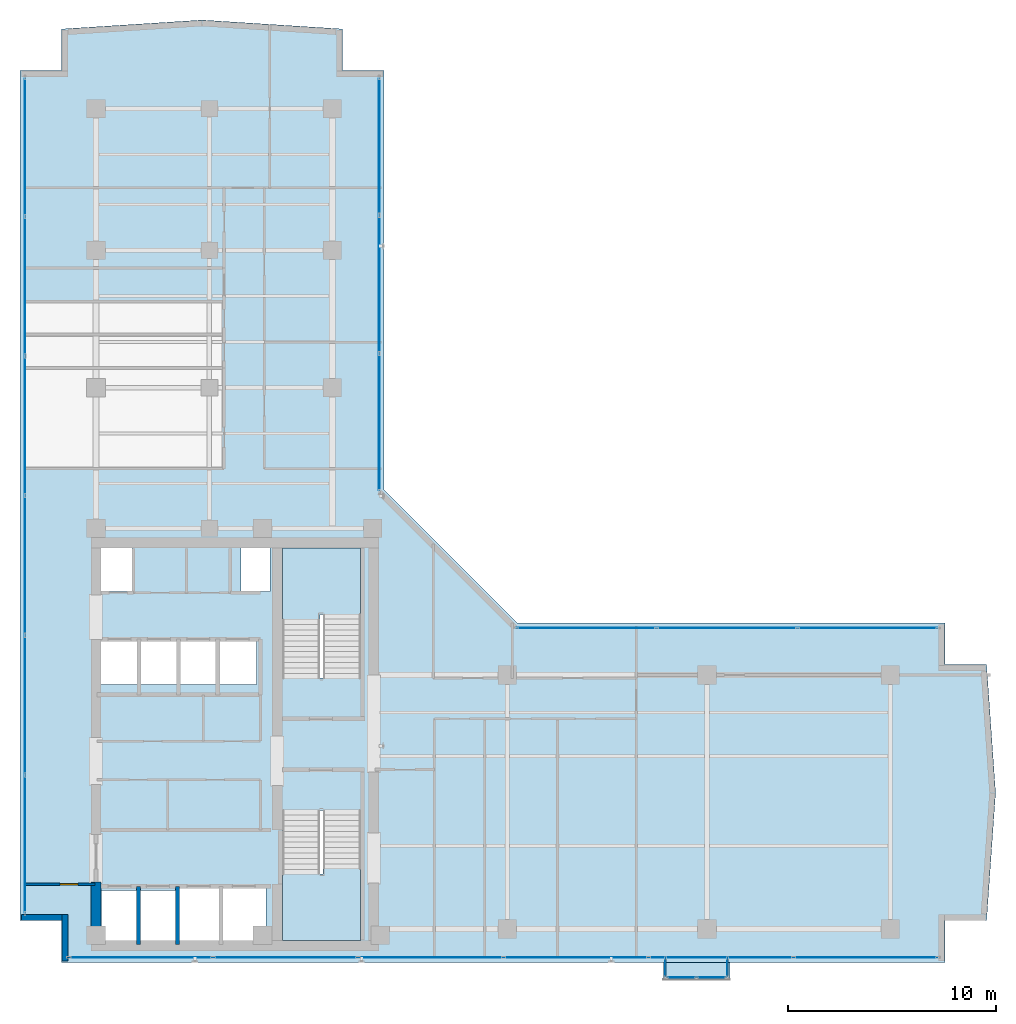
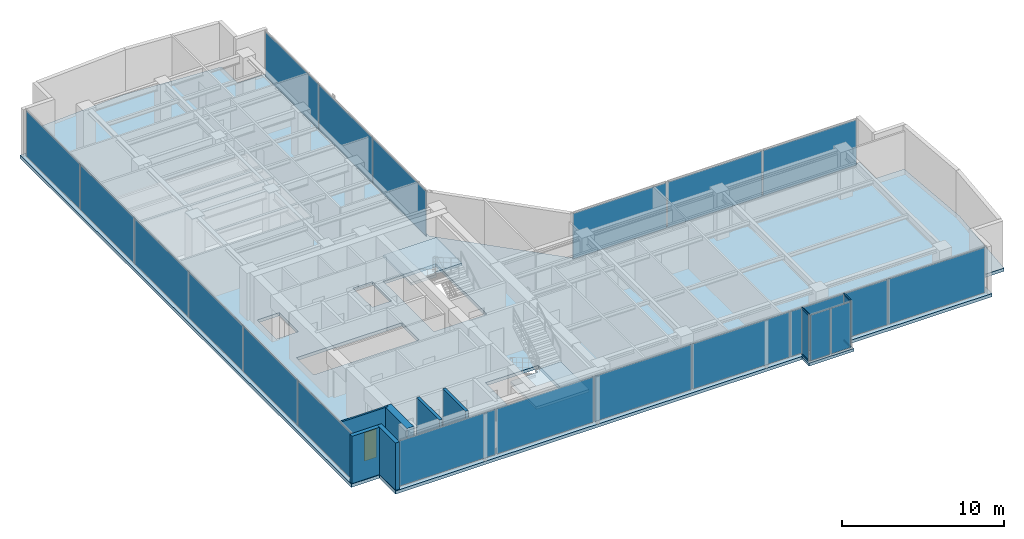
# One storey, part 16 of 24: 22 plates, 6 walls, 4 members, 4 slabs, 1 door, 1 opening, 9 elements without a shape of their own.
"""IFC4 building model written with IfcOpenShell, lengths in metres."""

from ifc_helpers import new_model, si_unit, direction, frame, frame_2d, origin, origin_with_axes, origin_2d, place, context, subcontext, project, spatial, polyline, rectangle, hollow_rectangle, outline, extrude, source, transform, mapped, material, layer, layer_set, material_profile, profile_set, type_object, element, fill, aggregate, save


model = new_model("IFC4")

# Units and contexts
model_context = context("Model", 3, precision=1e-05, world=origin(), true_north=direction((0.0, 1.0)))
body_context = subcontext(model_context, "Body", "Model", "MODEL_VIEW")
ifc_project = project(units=[si_unit("LENGTHUNIT", "METRE"), si_unit("AREAUNIT", "SQUARE_METRE"), si_unit("VOLUMEUNIT", "CUBIC_METRE"), si_unit("PLANEANGLEUNIT", "RADIAN"), si_unit("MASSUNIT", "GRAM", prefix="KILO")], contexts=[model_context])

# Site, building, storey
site_placement = place(None, origin())
site = spatial("IfcSite", under=ifc_project, at=site_placement, CompositionType="ELEMENT")
building_placement = place(site_placement, origin())
building = spatial("IfcBuilding", under=site, at=building_placement, Name="Kolvaren Waterfront Exchange", CompositionType="ELEMENT")
storey_placement = place(building_placement, frame((0.0, 0.0, 300.800048828125)))
storey = spatial("IfcBuildingStorey", under=building, at=storey_placement, Name="L77", CompositionType="ELEMENT", Elevation=300.800048828125)

# Curtain wall, members
ifc_material_1 = material(Name="Anodised bronze aluminium 6063-T6", Category="aluminium")
ifc_layer_1 = layer(ifc_material_1, 0.219970703125, Name="Anodised bronze aluminium 6063-T6")
ifc_layer_set_1 = layer_set([ifc_layer_1], Name="Anodised bronze aluminium 6063-T6")
curtain_wall_type_1 = type_object("IfcCurtainWallType", Name="ARC-CW-SYS3", PredefinedType="USERDEFINED", material=ifc_layer_set_1)
curtain_wall_1_placement = place(storey_placement, origin())
curtain_wall_1 = element("IfcCurtainWall", 1, at=curtain_wall_1_placement, inside=storey, type_object=curtain_wall_type_1, Name="L77 stick curtain wall CW3 (CW-L77-BOX-W)", ObjectType="STICK CURTAIN WALL", PredefinedType="USERDEFINED")
ifc_material_profile = material_profile(ifc_material_1, hollow_rectangle(XDim=0.06494140625, YDim=0.1298828125, WallThickness=0.00390625, at=origin_2d()), Name="ALU-TRN-130x65x4")
ifc_profile_set = profile_set([ifc_material_profile], Name="Anodised bronze aluminium 6063-T6")
member_type = type_object("IfcMemberType", Name="ARC-CWT-130", PredefinedType="USERDEFINED", material=ifc_profile_set)
shared_shape_1 = source(origin_with_axes(), body_context, "Body", "SweptSolid", [
    extrude(hollow_rectangle(XDim=0.06494140625, YDim=0.1298828125, WallThickness=0.00390625, at=origin_2d()), origin(), (0.0, 0.0, 1.0), 0.829833984375),
])
member_1_placement = place(storey_placement, frame((34.81005859375, 3.764892578125, 0.032470703125), z_axis=(0.0, -1.0, 0.0), x_axis=(1.0, 0.0, 0.0)))
member_1 = element("IfcMember", 2, at=member_1_placement, type_object=member_type, Name="CW3 transom 1.1", ObjectType="TRANSOM", PredefinedType="USERDEFINED", context=body_context, shape_type="MappedRepresentation", body=[
    mapped(shared_shape_1, transform((0.0, 0.0, 0.0), x_axis=(1.0, 0.0, 0.0), y_axis=(0.0, 1.0, 0.0), z_axis=(0.0, 0.0, 1.0), scale=1.0)),
])
member_2_placement = place(storey_placement, frame((34.81005859375, 3.764892578125, 3.52734375), z_axis=(0.0, -1.0, 0.0), x_axis=(1.0, 0.0, 0.0)))
member_2 = element("IfcMember", 3, at=member_2_placement, type_object=member_type, Name="CW3 transom 1.2", ObjectType="TRANSOM", PredefinedType="USERDEFINED", context=body_context, shape_type="MappedRepresentation", body=[
    mapped(shared_shape_1, transform((0.0, 0.0, 0.0), x_axis=(1.0, 0.0, 0.0), y_axis=(0.0, 1.0, 0.0), z_axis=(0.0, 0.0, 1.0), scale=1.0)),
])

curtain_wall_2_placement = place(storey_placement, origin())
curtain_wall_2 = element("IfcCurtainWall", 4, at=curtain_wall_2_placement, inside=storey, type_object=curtain_wall_type_1, Name="L77 stick curtain wall CW3 (CW-L77-BOX-E)", ObjectType="STICK CURTAIN WALL", PredefinedType="USERDEFINED")
member_3_placement = place(storey_placement, frame((37.7900390625, 2.93505859375, 0.032470703125), z_axis=(0.0, 1.0, 0.0), x_axis=(-1.0, 0.0, 0.0)))
member_3 = element("IfcMember", 5, at=member_3_placement, type_object=member_type, Name="CW3 transom 1.1", ObjectType="TRANSOM", PredefinedType="USERDEFINED", context=body_context, shape_type="MappedRepresentation", body=[
    mapped(shared_shape_1, transform((0.0, 0.0, 0.0), x_axis=(1.0, 0.0, 0.0), y_axis=(0.0, 1.0, 0.0), z_axis=(0.0, 0.0, 1.0), scale=1.0)),
])
member_4_placement = place(storey_placement, frame((37.7900390625, 2.93505859375, 3.52734375), z_axis=(0.0, 1.0, 0.0), x_axis=(-1.0, 0.0, 0.0)))
member_4 = element("IfcMember", 6, at=member_4_placement, type_object=member_type, Name="CW3 transom 1.2", ObjectType="TRANSOM", PredefinedType="USERDEFINED", context=body_context, shape_type="MappedRepresentation", body=[
    mapped(shared_shape_1, transform((0.0, 0.0, 0.0), x_axis=(1.0, 0.0, 0.0), y_axis=(0.0, 1.0, 0.0), z_axis=(0.0, 0.0, 1.0), scale=1.0)),
])

# Stair, slab
ifc_material_2 = material(Name="Concrete C40/50", Category="concrete")
stair_type = type_object("IfcStairType", Name="ARC-STAIR-3800", PredefinedType="HALF_TURN_STAIR", material=ifc_material_2)
stair_1_placement = place(storey_placement, origin())
stair_1 = element("IfcStair", 7, at=stair_1_placement, inside=storey, type_object=stair_type, Name="L77 Smoke-proof exit stair ST1", PredefinedType="HALF_TURN_STAIR")
ifc_layer_2 = layer(ifc_material_2, 0.199951171875, Name="Concrete C40/50")
ifc_layer_set_2 = layer_set([ifc_layer_2], Name="Concrete C40/50")
slab_type_1 = type_object("IfcSlabType", Name="STR-LANDING-200", PredefinedType="LANDING", material=ifc_layer_set_2)
slab_1_placement = place(storey_placement, frame((0.0, 0.0, 1.77587890625)))
slab_1 = element("IfcSlab", 8, at=slab_1_placement, type_object=slab_type_1, Name="ST1 landing 1", PredefinedType="LANDING", context=body_context, shape_type="SweptSolid", body=[
    extrude(outline(polyline([(16.39990234375, 7.840087890625), (16.39990234375, 4.64990234375), (20.159912109375, 4.64990234375), (20.159912109375, 8.10009765625), (18.360107421875, 8.10009765625), (18.360107421875, 7.840087890625), (16.39990234375, 7.840087890625)])), origin(), (0.0, 0.0, 1.0), 0.199951171875),
])
aggregate(stair_1, [slab_1])

stair_2_placement = place(storey_placement, origin())
stair_2 = element("IfcStair", 9, at=stair_2_placement, inside=storey, type_object=stair_type, Name="L77 Smoke-proof exit stair ST2", PredefinedType="HALF_TURN_STAIR")
slab_2_placement = place(storey_placement, frame((0.0, 0.0, 1.77587890625)))
slab_2 = element("IfcSlab", 10, at=slab_2_placement, type_object=slab_type_1, Name="ST2 landing 1", PredefinedType="LANDING", context=body_context, shape_type="SweptSolid", body=[
    extrude(outline(polyline([(20.159912109375, 20.31005859375), (20.159912109375, 23.5), (16.39990234375, 23.5), (16.39990234375, 20.050048828125), (18.199951171875, 20.050048828125), (18.199951171875, 20.31005859375), (20.159912109375, 20.31005859375)])), origin(), (0.0, 0.0, 1.0), 0.199951171875),
])
aggregate(stair_2, [slab_2])

# Slabs
ifc_layer_3 = layer(ifc_material_2, 0.239990234375, Name="Concrete C40/50")
ifc_layer_set_3 = layer_set([ifc_layer_3], Name="Concrete C40/50")
slab_type_2 = type_object("IfcSlabType", Name="STR-SLAB-240", PredefinedType="FLOOR", material=ifc_layer_set_3)
slab_3_placement = place(storey_placement, frame((0.0, 0.0, -0.239990234375)))
element("IfcSlab", 11, at=slab_3_placement, inside=storey, type_object=slab_type_2, Name="L77 structural floor slab", PredefinedType="FLOOR", context=body_context, shape_type="SweptSolid", body=[
    extrude(outline(polyline([(5.800048828125, 3.60009765625), (48.231689453125, 3.60009765625), (48.231689453125, 5.60009765625), (50.231689453125, 5.60009765625), (50.6630859375, 11.747314453125), (50.231689453125, 17.894775390625), (48.231689453125, 17.894775390625), (48.231689453125, 19.894775390625), (27.694580078125, 19.894775390625), (21.294677734375, 26.294677734375), (21.294677734375, 46.431640625), (19.294677734375, 46.431640625), (19.294677734375, 48.431640625), (12.54736328125, 48.86328125), (5.800048828125, 48.431640625), (5.800048828125, 46.431640625), (3.800048828125, 46.431640625), (3.800048828125, 5.60009765625), (5.800048828125, 5.60009765625), (5.800048828125, 3.60009765625)]), holes=[polyline([(11.320068359375, 7.260009765625), (15.610107421875, 7.260009765625), (15.610107421875, 4.5400390625), (7.719970703125, 4.5400390625), (7.719970703125, 7.06005859375), (11.320068359375, 7.06005859375), (11.320068359375, 7.260009765625)]), polyline([(20.159912109375, 10.89990234375), (20.159912109375, 4.64990234375), (16.39990234375, 4.64990234375), (16.39990234375, 10.89990234375), (20.159912109375, 10.89990234375)]), polyline([(7.669921875, 19.06005859375), (15.159912109375, 19.06005859375), (15.159912109375, 16.93994140625), (7.669921875, 16.93994140625), (7.669921875, 19.06005859375)]), polyline([(16.39990234375, 17.25), (16.39990234375, 23.5), (20.159912109375, 23.5), (20.159912109375, 17.25), (16.39990234375, 17.25)]), polyline([(7.60009765625, 23.780029296875), (9.179931640625, 23.780029296875), (9.179931640625, 21.419921875), (7.60009765625, 21.419921875), (7.60009765625, 23.780029296875)]), polyline([(14.419921875, 23.780029296875), (15.800048828125, 23.780029296875), (15.800048828125, 21.419921875), (14.419921875, 21.419921875), (14.419921875, 23.780029296875)])]), origin(), (0.0, 0.0, 1.0), 0.239990234375),
])
ifc_layer_4 = layer(ifc_material_2, 0.219970703125, Name="Concrete C40/50")
ifc_layer_set_4 = layer_set([ifc_layer_4], Name="Concrete C40/50")
slab_type_3 = type_object("IfcSlabType", Name="STR-TERR-220", PredefinedType="FLOOR", material=ifc_layer_set_4)
slab_4_placement = place(storey_placement, frame((0.0, 0.0, -0.219970703125)))
element("IfcSlab", 12, at=slab_4_placement, inside=storey, type_object=slab_type_3, Name="L77 projecting bay-box floor strip", PredefinedType="FLOOR", context=body_context, shape_type="SweptSolid", body=[
    extrude(outline(polyline([(34.699951171875, 2.75), (37.89990234375, 2.75), (37.89990234375, 3.60009765625), (34.699951171875, 3.60009765625), (34.699951171875, 2.75)])), origin(), (0.0, 0.0, 1.0), 0.219970703125),
])

# Plate
ifc_material_3 = material(Name="Bronze tinted bay-box vision glass", Category="aluminium")
ifc_layer_5 = layer(ifc_material_3, 0.02392578125, Name="Bronze tinted bay-box vision glass")
ifc_layer_set_5 = layer_set([ifc_layer_5], Name="Bronze tinted bay-box vision glass")
plate_type_1 = type_object("IfcPlateType", Name="ARC-CWP-24", PredefinedType="CURTAIN_PANEL", material=ifc_layer_set_5)
shared_shape_2 = source(origin_with_axes(), body_context, "Body", "SweptSolid", [
    extrude(rectangle(XDim=0.830078125, YDim=0.02392578125, at=origin_2d()), origin(), (0.0, 0.0, 1.0), 3.429931640625),
])
plate_1_placement = place(storey_placement, frame((34.81005859375, 3.35009765625, 0.06494140625), z_axis=(0.0, 0.0, 1.0), x_axis=(0.0, -1.0, 0.0)))
plate_1 = element("IfcPlate", 13, at=plate_1_placement, type_object=plate_type_1, Name="CW3 panel 1.1", PredefinedType="CURTAIN_PANEL", context=body_context, shape_type="MappedRepresentation", body=[
    mapped(shared_shape_2, transform((0.0, 0.0, 0.0), x_axis=(1.0, 0.0, 0.0), y_axis=(0.0, 1.0, 0.0), z_axis=(0.0, 0.0, 1.0), scale=1.0)),
])

aggregate(curtain_wall_1, [member_1, member_2, plate_1])

plate_2_placement = place(storey_placement, frame((37.7900390625, 3.35009765625, 0.06494140625), z_axis=(0.0, 0.0, 1.0), x_axis=(0.0, 1.0, 0.0)))
plate_2 = element("IfcPlate", 14, at=plate_2_placement, type_object=plate_type_1, Name="CW3 panel 1.1", PredefinedType="CURTAIN_PANEL", context=body_context, shape_type="MappedRepresentation", body=[
    mapped(shared_shape_2, transform((0.0, 0.0, 0.0), x_axis=(1.0, 0.0, 0.0), y_axis=(0.0, 1.0, 0.0), z_axis=(0.0, 0.0, 1.0), scale=1.0)),
])

aggregate(curtain_wall_2, [member_3, member_4, plate_2])

# Curtain wall, plates
curtain_wall_3_placement = place(storey_placement, origin())
curtain_wall_3 = element("IfcCurtainWall", 15, at=curtain_wall_3_placement, inside=storey, type_object=curtain_wall_type_1, Name="L77 stick curtain wall CW3 (CW-L77-BOX)", ObjectType="STICK CURTAIN WALL", PredefinedType="USERDEFINED")
shared_shape_3 = source(origin_with_axes(), body_context, "Body", "SweptSolid", [
    extrude(rectangle(XDim=1.37744140625, YDim=0.02392578125, at=origin_2d()), origin(), (0.0, 0.0, 1.0), 3.429931640625),
])
plate_3_placement = place(storey_placement, frame((35.57373046875, 2.860107421875, 0.06494140625), z_axis=(0.0, 0.0, 1.0), x_axis=(1.0, 0.0, 0.0)))
plate_3 = element("IfcPlate", 16, at=plate_3_placement, type_object=plate_type_1, Name="CW3 panel 1.1", PredefinedType="CURTAIN_PANEL", context=body_context, shape_type="MappedRepresentation", body=[
    mapped(shared_shape_3, transform((0.0, 0.0, 0.0), x_axis=(1.0, 0.0, 0.0), y_axis=(0.0, 1.0, 0.0), z_axis=(0.0, 0.0, 1.0), scale=1.0)),
])
plate_4_placement = place(storey_placement, frame((37.0263671875, 2.860107421875, 0.06494140625), z_axis=(0.0, 0.0, 1.0), x_axis=(1.0, 0.0, 0.0)))
plate_4 = element("IfcPlate", 17, at=plate_4_placement, type_object=plate_type_1, Name="CW3 panel 2.1", PredefinedType="CURTAIN_PANEL", context=body_context, shape_type="MappedRepresentation", body=[
    mapped(shared_shape_3, transform((0.0, 0.0, 0.0), x_axis=(1.0, 0.0, 0.0), y_axis=(0.0, 1.0, 0.0), z_axis=(0.0, 0.0, 1.0), scale=1.0)),
])
aggregate(curtain_wall_3, [plate_3, plate_4])

ifc_layer_6 = layer(ifc_material_1, 0.219970703125, Name="Anodised bronze aluminium 6063-T6")
ifc_layer_set_6 = layer_set([ifc_layer_6], Name="Anodised bronze aluminium 6063-T6")
curtain_wall_type_2 = type_object("IfcCurtainWallType", Name="ARC-CW-SYS1", PredefinedType="USERDEFINED", material=ifc_layer_set_6)
curtain_wall_4_placement = place(storey_placement, origin())
curtain_wall_4 = element("IfcCurtainWall", 18, at=curtain_wall_4_placement, inside=storey, type_object=curtain_wall_type_2, Name="L77 stick curtain wall CW1 (CW-L77-S)", ObjectType="STICK CURTAIN WALL", PredefinedType="USERDEFINED")
ifc_material_4 = material(Name="Bronze solar control vision glass", Category="aluminium")
ifc_layer_7 = layer(ifc_material_4, 0.028076171875, Name="Bronze solar control vision glass")
ifc_layer_set_7 = layer_set([ifc_layer_7], Name="Bronze solar control vision glass")
plate_type_2 = type_object("IfcPlateType", Name="ARC-CWP-28", PredefinedType="CURTAIN_PANEL", material=ifc_layer_set_7)
shared_shape_4 = source(origin_with_axes(), body_context, "Body", "SweptSolid", [
    extrude(rectangle(XDim=6.85205078125, YDim=0.028076171875, at=origin_2d()), origin(), (0.0, 0.0, 1.0), 3.409912109375),
])
plate_5_placement = place(storey_placement, frame((9.60595703125, 3.840087890625, 0.0751953125), z_axis=(0.0, 0.0, 1.0), x_axis=(1.0, 0.0, 0.0)))
plate_5 = element("IfcPlate", 19, at=plate_5_placement, type_object=plate_type_2, Name="CW1 panel 1.1", PredefinedType="CURTAIN_PANEL", context=body_context, shape_type="MappedRepresentation", body=[
    mapped(shared_shape_4, transform((0.0, 0.0, 0.0), x_axis=(1.0, 0.0, 0.0), y_axis=(0.0, 1.0, 0.0), z_axis=(0.0, 0.0, 1.0), scale=1.0)),
])
plate_6_placement = place(storey_placement, frame((44.425537109375, 3.840087890625, 0.0751953125), z_axis=(0.0, 0.0, 1.0), x_axis=(1.0, 0.0, 0.0)))
plate_6 = element("IfcPlate", 20, at=plate_6_placement, type_object=plate_type_2, Name="CW1 panel 6.1", PredefinedType="CURTAIN_PANEL", context=body_context, shape_type="MappedRepresentation", body=[
    mapped(shared_shape_4, transform((0.0, 0.0, 0.0), x_axis=(1.0, 0.0, 0.0), y_axis=(0.0, 1.0, 0.0), z_axis=(0.0, 0.0, 1.0), scale=1.0)),
])
shared_shape_5 = source(origin_with_axes(), body_context, "Body", "SweptSolid", [
    extrude(rectangle(XDim=6.891845703125, YDim=0.028076171875, at=origin_2d()), origin(), (0.0, 0.0, 1.0), 3.409912109375),
])
plate_7_placement = place(storey_placement, frame((16.557861328125, 3.840087890625, 0.0751953125), z_axis=(0.0, 0.0, 1.0), x_axis=(1.0, 0.0, 0.0)))
plate_7 = element("IfcPlate", 21, at=plate_7_placement, type_object=plate_type_2, Name="CW1 panel 2.1", PredefinedType="CURTAIN_PANEL", context=body_context, shape_type="MappedRepresentation", body=[
    mapped(shared_shape_5, transform((0.0, 0.0, 0.0), x_axis=(1.0, 0.0, 0.0), y_axis=(0.0, 1.0, 0.0), z_axis=(0.0, 0.0, 1.0), scale=1.0)),
])
plate_8_placement = place(storey_placement, frame((23.52978515625, 3.840087890625, 0.0751953125), z_axis=(0.0, 0.0, 1.0), x_axis=(1.0, 0.0, 0.0)))
plate_8 = element("IfcPlate", 22, at=plate_8_placement, type_object=plate_type_2, Name="CW1 panel 3.1", PredefinedType="CURTAIN_PANEL", context=body_context, shape_type="MappedRepresentation", body=[
    mapped(shared_shape_5, transform((0.0, 0.0, 0.0), x_axis=(1.0, 0.0, 0.0), y_axis=(0.0, 1.0, 0.0), z_axis=(0.0, 0.0, 1.0), scale=1.0)),
])
plate_9_placement = place(storey_placement, frame((30.501708984375, 3.840087890625, 0.0751953125), z_axis=(0.0, 0.0, 1.0), x_axis=(1.0, 0.0, 0.0)))
plate_9 = element("IfcPlate", 23, at=plate_9_placement, type_object=plate_type_2, Name="CW1 panel 4.1", PredefinedType="CURTAIN_PANEL", context=body_context, shape_type="MappedRepresentation", body=[
    mapped(shared_shape_5, transform((0.0, 0.0, 0.0), x_axis=(1.0, 0.0, 0.0), y_axis=(0.0, 1.0, 0.0), z_axis=(0.0, 0.0, 1.0), scale=1.0)),
])
plate_10_placement = place(storey_placement, frame((37.4736328125, 3.840087890625, 0.0751953125), z_axis=(0.0, 0.0, 1.0), x_axis=(1.0, 0.0, 0.0)))
plate_10 = element("IfcPlate", 24, at=plate_10_placement, type_object=plate_type_2, Name="CW1 panel 5.1", PredefinedType="CURTAIN_PANEL", context=body_context, shape_type="MappedRepresentation", body=[
    mapped(shared_shape_5, transform((0.0, 0.0, 0.0), x_axis=(1.0, 0.0, 0.0), y_axis=(0.0, 1.0, 0.0), z_axis=(0.0, 0.0, 1.0), scale=1.0)),
])
aggregate(curtain_wall_4, [plate_5, plate_7, plate_8, plate_9, plate_10, plate_6])

ifc_material_5 = material(Name="Anodised aluminium 6063-T6", Category="aluminium")
ifc_layer_8 = layer(ifc_material_5, 0.219970703125, Name="Anodised aluminium 6063-T6")
ifc_layer_set_8 = layer_set([ifc_layer_8], Name="Anodised aluminium 6063-T6")
curtain_wall_type_3 = type_object("IfcCurtainWallType", Name="ARC-CW-SYS2", PredefinedType="USERDEFINED", material=ifc_layer_set_8)
curtain_wall_5_placement = place(storey_placement, origin())
curtain_wall_5 = element("IfcCurtainWall", 25, at=curtain_wall_5_placement, inside=storey, type_object=curtain_wall_type_3, Name="L77 stick curtain wall CW2 (CW-L77-W)", ObjectType="STICK CURTAIN WALL", PredefinedType="USERDEFINED")
ifc_material_6 = material(Name="Acoustic laminated vision glass", Category="glass")
ifc_layer_9 = layer(ifc_material_6, 0.031982421875, Name="Acoustic laminated vision glass")
ifc_layer_set_9 = layer_set([ifc_layer_9], Name="Acoustic laminated vision glass")
plate_type_3 = type_object("IfcPlateType", Name="ARC-CWP-32", PredefinedType="CURTAIN_PANEL", material=ifc_layer_set_9)
shared_shape_6 = source(origin_with_axes(), body_context, "Body", "SweptSolid", [
    extrude(rectangle(XDim=6.585205078125, YDim=0.031982421875, at=origin_2d()), origin(), (0.0, 0.0, 1.0), 3.409912109375),
])
plate_11_placement = place(storey_placement, frame((4.0400390625, 9.272705078125, 0.0751953125), z_axis=(0.0, 0.0, 1.0), x_axis=(0.0, 1.0, 0.0)))
plate_11 = element("IfcPlate", 26, at=plate_11_placement, type_object=plate_type_3, Name="CW2 panel 1.1", PredefinedType="CURTAIN_PANEL", context=body_context, shape_type="MappedRepresentation", body=[
    mapped(shared_shape_6, transform((0.0, 0.0, 0.0), x_axis=(1.0, 0.0, 0.0), y_axis=(0.0, 1.0, 0.0), z_axis=(0.0, 0.0, 1.0), scale=1.0)),
])
plate_12_placement = place(storey_placement, frame((4.0400390625, 42.759033203125, 0.0751953125), z_axis=(0.0, 0.0, 1.0), x_axis=(0.0, 1.0, 0.0)))
plate_12 = element("IfcPlate", 27, at=plate_12_placement, type_object=plate_type_3, Name="CW2 panel 6.1", PredefinedType="CURTAIN_PANEL", context=body_context, shape_type="MappedRepresentation", body=[
    mapped(shared_shape_6, transform((0.0, 0.0, 0.0), x_axis=(1.0, 0.0, 0.0), y_axis=(0.0, 1.0, 0.0), z_axis=(0.0, 0.0, 1.0), scale=1.0)),
])
shared_shape_7 = source(origin_with_axes(), body_context, "Body", "SweptSolid", [
    extrude(rectangle(XDim=6.625244140625, YDim=0.031982421875, at=origin_2d()), origin(), (0.0, 0.0, 1.0), 3.409912109375),
])
plate_13_placement = place(storey_placement, frame((4.0400390625, 15.9580078125, 0.0751953125), z_axis=(0.0, 0.0, 1.0), x_axis=(0.0, 1.0, 0.0)))
plate_13 = element("IfcPlate", 28, at=plate_13_placement, type_object=plate_type_3, Name="CW2 panel 2.1", PredefinedType="CURTAIN_PANEL", context=body_context, shape_type="MappedRepresentation", body=[
    mapped(shared_shape_7, transform((0.0, 0.0, 0.0), x_axis=(1.0, 0.0, 0.0), y_axis=(0.0, 1.0, 0.0), z_axis=(0.0, 0.0, 1.0), scale=1.0)),
])
plate_14_placement = place(storey_placement, frame((4.0400390625, 22.6630859375, 0.0751953125), z_axis=(0.0, 0.0, 1.0), x_axis=(0.0, 1.0, 0.0)))
plate_14 = element("IfcPlate", 29, at=plate_14_placement, type_object=plate_type_3, Name="CW2 panel 3.1", PredefinedType="CURTAIN_PANEL", context=body_context, shape_type="MappedRepresentation", body=[
    mapped(shared_shape_7, transform((0.0, 0.0, 0.0), x_axis=(1.0, 0.0, 0.0), y_axis=(0.0, 1.0, 0.0), z_axis=(0.0, 0.0, 1.0), scale=1.0)),
])
plate_15_placement = place(storey_placement, frame((4.0400390625, 29.368408203125, 0.0751953125), z_axis=(0.0, 0.0, 1.0), x_axis=(0.0, 1.0, 0.0)))
plate_15 = element("IfcPlate", 30, at=plate_15_placement, type_object=plate_type_3, Name="CW2 panel 4.1", PredefinedType="CURTAIN_PANEL", context=body_context, shape_type="MappedRepresentation", body=[
    mapped(shared_shape_7, transform((0.0, 0.0, 0.0), x_axis=(1.0, 0.0, 0.0), y_axis=(0.0, 1.0, 0.0), z_axis=(0.0, 0.0, 1.0), scale=1.0)),
])
plate_16_placement = place(storey_placement, frame((4.0400390625, 36.07373046875, 0.0751953125), z_axis=(0.0, 0.0, 1.0), x_axis=(0.0, 1.0, 0.0)))
plate_16 = element("IfcPlate", 31, at=plate_16_placement, type_object=plate_type_3, Name="CW2 panel 5.1", PredefinedType="CURTAIN_PANEL", context=body_context, shape_type="MappedRepresentation", body=[
    mapped(shared_shape_7, transform((0.0, 0.0, 0.0), x_axis=(1.0, 0.0, 0.0), y_axis=(0.0, 1.0, 0.0), z_axis=(0.0, 0.0, 1.0), scale=1.0)),
])
aggregate(curtain_wall_5, [plate_11, plate_13, plate_14, plate_15, plate_16, plate_12])

curtain_wall_6_placement = place(storey_placement, origin())
curtain_wall_6 = element("IfcCurtainWall", 32, at=curtain_wall_6_placement, inside=storey, type_object=curtain_wall_type_2, Name="L77 stick curtain wall CW1 (CW-L77-NE)", ObjectType="STICK CURTAIN WALL", PredefinedType="USERDEFINED")
shared_shape_8 = source(origin_with_axes(), body_context, "Body", "SweptSolid", [
    extrude(rectangle(XDim=6.529052734375, YDim=0.028076171875, at=origin_2d()), origin(), (0.0, 0.0, 1.0), 3.409912109375),
])
plate_17_placement = place(storey_placement, frame((21.0546875, 29.529296875, 0.0751953125), z_axis=(0.0, 0.0, 1.0), x_axis=(0.0, 1.0, 0.0)))
plate_17 = element("IfcPlate", 33, at=plate_17_placement, type_object=plate_type_2, Name="CW1 panel 1.1", PredefinedType="CURTAIN_PANEL", context=body_context, shape_type="MappedRepresentation", body=[
    mapped(shared_shape_8, transform((0.0, 0.0, 0.0), x_axis=(1.0, 0.0, 0.0), y_axis=(0.0, 1.0, 0.0), z_axis=(0.0, 0.0, 1.0), scale=1.0)),
])
plate_18_placement = place(storey_placement, frame((21.0546875, 42.787109375, 0.0751953125), z_axis=(0.0, 0.0, 1.0), x_axis=(0.0, 1.0, 0.0)))
plate_18 = element("IfcPlate", 34, at=plate_18_placement, type_object=plate_type_2, Name="CW1 panel 3.1", PredefinedType="CURTAIN_PANEL", context=body_context, shape_type="MappedRepresentation", body=[
    mapped(shared_shape_8, transform((0.0, 0.0, 0.0), x_axis=(1.0, 0.0, 0.0), y_axis=(0.0, 1.0, 0.0), z_axis=(0.0, 0.0, 1.0), scale=1.0)),
])
shared_shape_9 = source(origin_with_axes(), body_context, "Body", "SweptSolid", [
    extrude(rectangle(XDim=6.56884765625, YDim=0.028076171875, at=origin_2d()), origin(), (0.0, 0.0, 1.0), 3.409912109375),
])
plate_19_placement = place(storey_placement, frame((21.0546875, 36.158203125, 0.0751953125), z_axis=(0.0, 0.0, 1.0), x_axis=(0.0, 1.0, 0.0)))
plate_19 = element("IfcPlate", 35, at=plate_19_placement, type_object=plate_type_2, Name="CW1 panel 2.1", PredefinedType="CURTAIN_PANEL", context=body_context, shape_type="MappedRepresentation", body=[
    mapped(shared_shape_9, transform((0.0, 0.0, 0.0), x_axis=(1.0, 0.0, 0.0), y_axis=(0.0, 1.0, 0.0), z_axis=(0.0, 0.0, 1.0), scale=1.0)),
])
aggregate(curtain_wall_6, [plate_17, plate_19, plate_18])

curtain_wall_7_placement = place(storey_placement, origin())
curtain_wall_7 = element("IfcCurtainWall", 36, at=curtain_wall_7_placement, inside=storey, type_object=curtain_wall_type_2, Name="L77 stick curtain wall CW1 (CW-L77-EN)", ObjectType="STICK CURTAIN WALL", PredefinedType="USERDEFINED")
shared_shape_10 = source(origin_with_axes(), body_context, "Body", "SweptSolid", [
    extrude(rectangle(XDim=6.662353515625, YDim=0.028076171875, at=origin_2d()), origin(), (0.0, 0.0, 1.0), 3.409912109375),
])
plate_20_placement = place(storey_placement, frame((30.995849609375, 19.65478515625, 0.0751953125), z_axis=(0.0, 0.0, 1.0), x_axis=(1.0, 0.0, 0.0)))
plate_20 = element("IfcPlate", 37, at=plate_20_placement, type_object=plate_type_2, Name="CW1 panel 1.1", PredefinedType="CURTAIN_PANEL", context=body_context, shape_type="MappedRepresentation", body=[
    mapped(shared_shape_10, transform((0.0, 0.0, 0.0), x_axis=(1.0, 0.0, 0.0), y_axis=(0.0, 1.0, 0.0), z_axis=(0.0, 0.0, 1.0), scale=1.0)),
])
plate_21_placement = place(storey_placement, frame((44.5205078125, 19.65478515625, 0.0751953125), z_axis=(0.0, 0.0, 1.0), x_axis=(1.0, 0.0, 0.0)))
plate_21 = element("IfcPlate", 38, at=plate_21_placement, type_object=plate_type_2, Name="CW1 panel 3.1", PredefinedType="CURTAIN_PANEL", context=body_context, shape_type="MappedRepresentation", body=[
    mapped(shared_shape_10, transform((0.0, 0.0, 0.0), x_axis=(1.0, 0.0, 0.0), y_axis=(0.0, 1.0, 0.0), z_axis=(0.0, 0.0, 1.0), scale=1.0)),
])
shared_shape_11 = source(origin_with_axes(), body_context, "Body", "SweptSolid", [
    extrude(rectangle(XDim=6.702392578125, YDim=0.028076171875, at=origin_2d()), origin(), (0.0, 0.0, 1.0), 3.409912109375),
])
plate_22_placement = place(storey_placement, frame((37.758056640625, 19.65478515625, 0.0751953125), z_axis=(0.0, 0.0, 1.0), x_axis=(1.0, 0.0, 0.0)))
plate_22 = element("IfcPlate", 39, at=plate_22_placement, type_object=plate_type_2, Name="CW1 panel 2.1", PredefinedType="CURTAIN_PANEL", context=body_context, shape_type="MappedRepresentation", body=[
    mapped(shared_shape_11, transform((0.0, 0.0, 0.0), x_axis=(1.0, 0.0, 0.0), y_axis=(0.0, 1.0, 0.0), z_axis=(0.0, 0.0, 1.0), scale=1.0)),
])
aggregate(curtain_wall_7, [plate_20, plate_22, plate_21])

# Walls
ifc_material_7 = material(Name="Precast concrete C40/50", Category="concrete")
ifc_layer_10 = layer(ifc_material_7, 0.280029296875, Name="Precast concrete C40/50")
ifc_layer_set_10 = layer_set([ifc_layer_10], Name="Precast concrete C40/50")
wall_type_1 = type_object("IfcWallType", Name="ARC-EXT-TERR-280", PredefinedType="SOLIDWALL", material=ifc_layer_set_10)
wall_1_placement = place(storey_placement, frame((5.9599609375, 3.659912109375, 0.0), z_axis=(0.0, 0.0, 1.0), x_axis=(0.0, 1.0, 0.0)))
element("IfcWall", 40, at=wall_1_placement, inside=storey, type_object=wall_type_1, Name="L77 notched corner spandrel pier SW-A", PredefinedType="SOLIDWALL", context=body_context, shape_type="SweptSolid", body=[
    extrude(rectangle(XDim=2.239990234375, YDim=0.280029296875, at=frame_2d((1.1201171875, 0.0))), origin(), (0.0, 0.0, 1.0), 3.56005859375),
])
wall_2_placement = place(storey_placement, frame((3.860107421875, 5.760009765625, 0.0), z_axis=(0.0, 0.0, 1.0), x_axis=(1.0, 0.0, 0.0)))
element("IfcWall", 41, at=wall_2_placement, inside=storey, type_object=wall_type_1, Name="L77 notched corner spandrel pier SW-B", PredefinedType="SOLIDWALL", context=body_context, shape_type="SweptSolid", body=[
    extrude(rectangle(XDim=1.9599609375, YDim=0.280029296875, at=frame_2d((0.97998046875, 0.0))), origin(), (0.0, 0.0, 1.0), 3.56005859375),
])

# Wall, opening, door
ifc_material_8 = material(Name="Acoustic gypsum steel stud", Category="steel")
ifc_layer_11 = layer(ifc_material_8, 0.125, Name="Acoustic gypsum steel stud")
ifc_layer_set_11 = layer_set([ifc_layer_11], Name="Acoustic gypsum steel stud")
wall_type_2 = type_object("IfcWallType", Name="ARC-PART-125", PredefinedType="PARTITIONING", material=ifc_layer_set_11)
wall_3_placement = place(storey_placement, frame((4.0400390625, 7.35009765625, 0.0), z_axis=(0.0, 0.0, 1.0), x_axis=(1.0, 0.0, 0.0)))
wall_3 = element("IfcWall", 42, at=wall_3_placement, inside=storey, type_object=wall_type_2, Name="L77 interior wall PW-L77-SWC-N", PredefinedType="PARTITIONING", context=body_context, shape_type="SweptSolid", body=[
    extrude(rectangle(XDim=3.35986328125, YDim=0.125, at=frame_2d((1.679931640625, 0.0))), origin(), (0.0, 0.0, 1.0), 3.56005859375),
])
opening_placement = place(wall_3_placement, frame((1.686767578125, 0.0, 0.0)))
opening = element("IfcOpeningElement", 43, at=opening_placement, cuts=wall_3, Name="Opening D01", PredefinedType="OPENING", context=body_context, shape_type="SweptSolid", body=[
    extrude(rectangle(XDim=0.85009765625, YDim=2.14990234375, at=frame_2d((0.425048828125, 1.074951171875))), frame((0.0, 0.072509765625, 0.0), z_axis=(0.0, -1.0, 0.0), x_axis=(1.0, 0.0, 0.0)), (0.0, 0.0, 1.0), 0.14501953125),
])
ifc_material_9 = material(Name="Oak veneer timber leaf", Category="wood")
door_type = type_object("IfcDoorType", Name="ARC-DR-900", OperationType="NOTDEFINED", PredefinedType="DOOR", material=ifc_material_9)
door_placement = place(opening_placement, origin())
door = element("IfcDoor", 44, at=door_placement, inside=storey, type_object=door_type, Name="L77 door DR-L77-SWC-D (D01)", OperationType="SINGLE_SWING_RIGHT", OverallHeight=2.14990234375, OverallWidth=0.85009765625, PredefinedType="DOOR", context=body_context, shape_type="SweptSolid", body=[
    extrude(rectangle(XDim=0.85009765625, YDim=2.14990234375, at=frame_2d((0.425048828125, 1.074951171875))), frame((0.0, 0.02490234375, 0.0), z_axis=(0.0, -1.0, 0.0), x_axis=(1.0, 0.0, 0.0)), (0.0, 0.0, 1.0), 0.050048828125),
])
fill(opening, door)

# Walls
ifc_layer_12 = layer(ifc_material_2, 0.199951171875, Name="Concrete C40/50")
ifc_layer_set_12 = layer_set([ifc_layer_12], Name="Concrete C40/50")
wall_type_3 = type_object("IfcWallType", Name="ARC-SHAFT-200", PredefinedType="PARTITIONING", material=ifc_layer_set_12)
for number, where, z_axis, x_axis, name in (
    (45, (9.5, 4.449951171875, 0.0), (0.0, 0.0, 1.0), (0.0, 1.0, 0.0), "L77 interior wall PW-L77-SH1-DIV-95"),
    (46, (11.360107421875, 4.449951171875, 0.0), (0.0, 0.0, 1.0), (0.0, 1.0, 0.0), "L77 interior wall PW-L77-SH1-DIV-113"),
):
    element("IfcWall", number, at=place(storey_placement, frame(where, z_axis=z_axis, x_axis=x_axis)), inside=storey, type_object=wall_type_3, Name=name, PredefinedType="PARTITIONING", context=body_context, shape_type="SweptSolid", body=[
        extrude(rectangle(XDim=2.800048828125, YDim=0.199951171875, at=frame_2d((1.39990234375, 0.0))), origin(), (0.0, 0.0, 1.0), 3.56005859375),
    ])
ifc_material_10 = material(Name="Concrete C50/60", Category="concrete")
ifc_layer_13 = layer(ifc_material_10, 0.5, Name="Concrete C50/60")
ifc_layer_set_13 = layer_set([ifc_layer_13], Name="Concrete C50/60")
wall_type_4 = type_object("IfcWallType", Name="STR-CWALL-500", PredefinedType="SHEAR", material=ifc_layer_set_13)
wall_4_placement = place(storey_placement, frame((7.449951171875, 4.64990234375, 0.0), z_axis=(0.0, 0.0, 1.0), x_axis=(0.0, 1.0, 0.0)))
element("IfcWall", 47, at=wall_4_placement, inside=storey, type_object=wall_type_4, Name="L77 rear-core shear wall W1", PredefinedType="SHEAR", context=body_context, shape_type="SweptSolid", body=[
    extrude(rectangle(XDim=2.800048828125, YDim=0.5, at=frame_2d((1.39990234375, 0.0))), origin(), (0.0, 0.0, 1.0), 3.56005859375),
])

save(model, "model.ifc")
